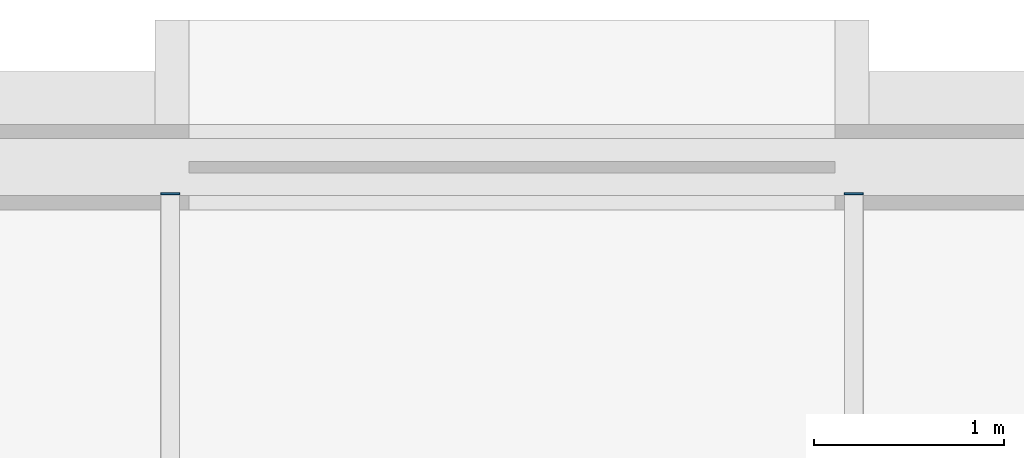
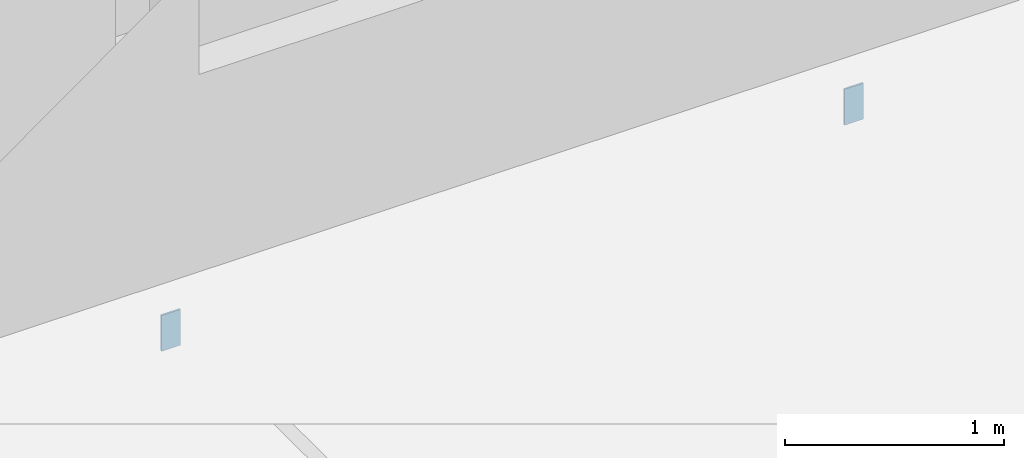
# One storey, part 81 of 100: 2 plates.
"""IFC4 building model written with IfcOpenShell, lengths in metres."""

from ifc_helpers import new_model, si_unit, direction, frame, origin, origin_2d, place, context, subcontext, project, spatial, rectangle, extrude, material, layer, layer_set, type_object, element, save


model = new_model("IFC4")

# Units and contexts
model_context = context("Model", 3, precision=1e-05, world=origin(), true_north=direction((0.0, 1.0)))
body_context = subcontext(model_context, "Body", "Model", "MODEL_VIEW")
ifc_project = project(units=[si_unit("LENGTHUNIT", "METRE"), si_unit("AREAUNIT", "SQUARE_METRE"), si_unit("VOLUMEUNIT", "CUBIC_METRE"), si_unit("PLANEANGLEUNIT", "RADIAN"), si_unit("MASSUNIT", "GRAM", prefix="KILO")], contexts=[model_context])

# Site, building, storey
site_placement = place(None, origin())
site = spatial("IfcSite", under=ifc_project, at=site_placement, CompositionType="ELEMENT")
building_placement = place(site_placement, origin())
building = spatial("IfcBuilding", under=site, at=building_placement, Name="Tasgan Crest Museum", CompositionType="ELEMENT")
storey_placement = place(building_placement, frame((0.0, 0.0, 14.39990234375)))
storey = spatial("IfcBuildingStorey", under=building, at=storey_placement, Name="L03", CompositionType="ELEMENT", Elevation=14.39990234375)

# Plates
ifc_material = material(Name="Steel S355K2", Category="steel")
ifc_layer = layer(ifc_material, 0.10009765625, Name="PL-CAP-10x100x200")
ifc_layer_set = layer_set([ifc_layer], Name="Steel S355K2")
plate_type = type_object("IfcPlateType", Name="PL-CAP-10x100x200", PredefinedType="USERDEFINED", material=ifc_layer_set)
for number, where, z_axis, x_axis, name in (
    (1, (3.60009765625, 111.860107421875, -0.43994140625), (0.0, 0.0, 1.0), (0.0, 1.0, 0.0), "End plate Secondary joist L03 X=3.6 Y=102.0-112.0 end B"),
    (2, (7.199951171875, 111.860107421875, -0.43994140625), (0.0, 0.0, 1.0), (0.0, 1.0, 0.0), "End plate Secondary joist L03 X=7.2 Y=102.0-112.0 end B"),
):
    element("IfcPlate", number, at=place(storey_placement, frame(where, z_axis=z_axis, x_axis=x_axis)), inside=storey, type_object=plate_type, Name=name, ObjectType="END PLATE", PredefinedType="USERDEFINED", context=body_context, shape_type="SweptSolid", body=[
        extrude(rectangle(XDim=0.010009765625, YDim=0.10009765625, at=origin_2d()), origin(), (0.0, 0.0, 1.0), 0.199951171875),
    ])

save(model, "model.ifc")
